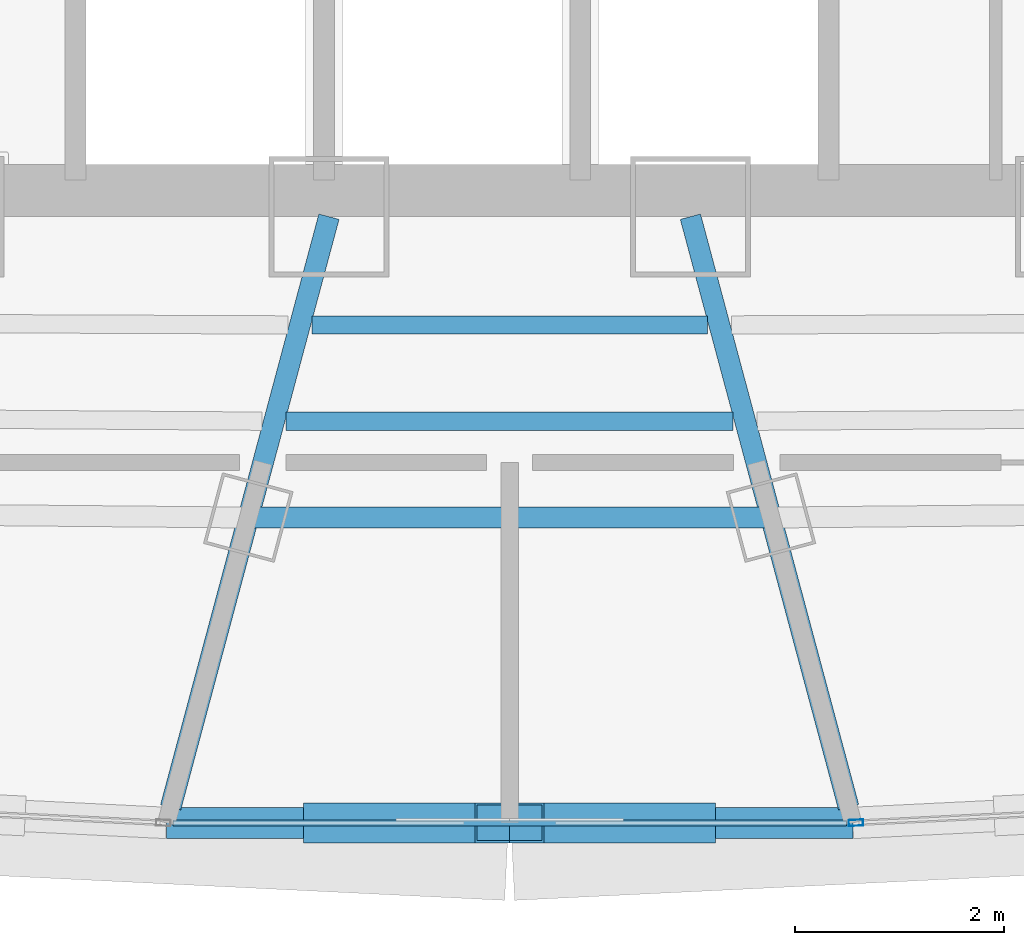
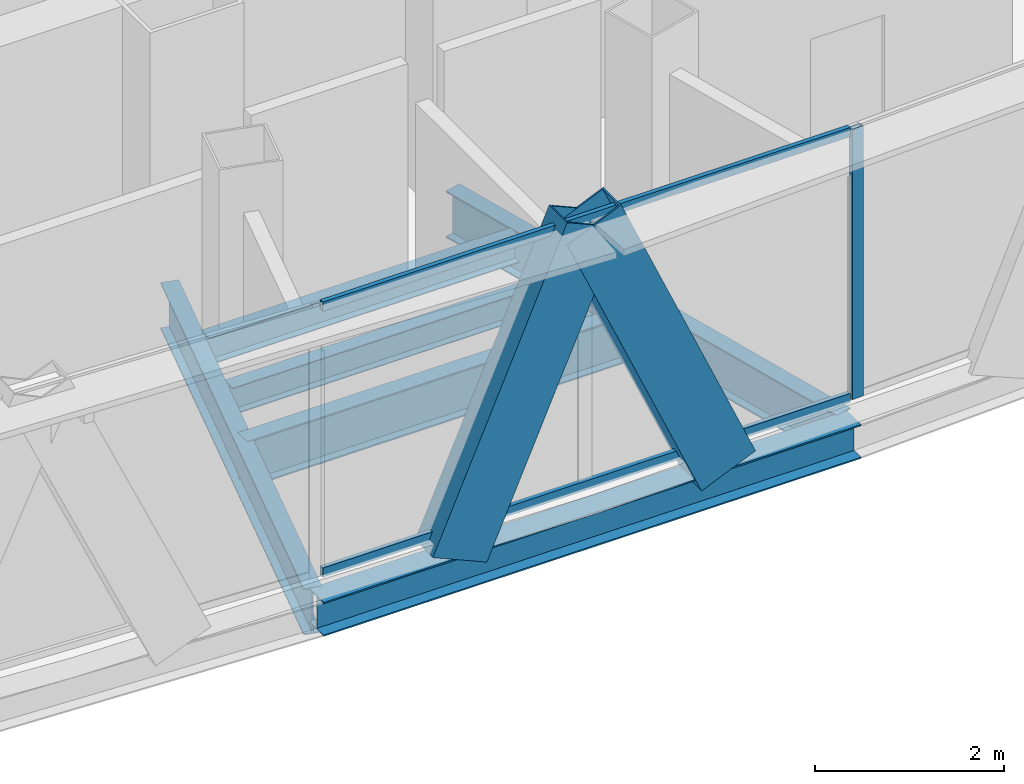
# One storey, part 5 of 26: 6 beams, 5 members, 2 elements without a shape of their own.
"""IFC4 building model written with IfcOpenShell, lengths in metres."""

from ifc_helpers import new_model, si_unit, direction, frame, origin, origin_2d, place, context, subcontext, project, spatial, hollow_rectangle, i_section, extrude, source, transform, mapped, material, layer, layer_set, material_profile, profile_set, type_object, element, aggregate, save


model = new_model("IFC4")

# Units and contexts
model_context = context("Model", 3, precision=1e-05, world=origin(), true_north=direction((0.0, 1.0)))
body_context = subcontext(model_context, "Body", "Model", "MODEL_VIEW")
ifc_project = project(units=[si_unit("LENGTHUNIT", "METRE"), si_unit("AREAUNIT", "SQUARE_METRE"), si_unit("VOLUMEUNIT", "CUBIC_METRE"), si_unit("PLANEANGLEUNIT", "RADIAN"), si_unit("MASSUNIT", "GRAM", prefix="KILO"), si_unit("THERMODYNAMICTEMPERATUREUNIT", "KELVIN"), si_unit("POWERUNIT", "WATT")], contexts=[model_context])

# Site, building, storey
site_placement = place(None, origin())
site = spatial("IfcSite", under=ifc_project, at=site_placement, CompositionType="ELEMENT")
building_placement = place(site_placement, origin())
building = spatial("IfcBuilding", under=site, at=building_placement, Name="Yunzhuo Pagoda Commons", CompositionType="ELEMENT")
storey_placement = place(building_placement, frame((0.0, 0.0, 340.510009765625)))
storey = spatial("IfcBuildingStorey", under=building, at=storey_placement, Name="L85", CompositionType="ELEMENT", Elevation=340.510009765625)

# Beams
ifc_material_1 = material(Name="Structural steel Q355B", Category="steel")
ifc_material_profile_1 = material_profile(ifc_material_1, i_section(OverallWidth=0.199951171875, OverallDepth=0.60009765625, WebThickness=0.010986328125, FlangeThickness=0.01708984375, at=origin_2d()), Name="Structural steel Q355B")
ifc_profile_set_1 = profile_set([ifc_material_profile_1], Name="Structural steel Q355B")
beam_type_1 = type_object("IfcBeamType", Name="B-RG3 Beam HN 600x200x11x17", PredefinedType="BEAM", material=ifc_profile_set_1)
shared_shape_1 = source(origin(), body_context, "Body", "SweptSolid", [
    extrude(i_section(OverallWidth=0.199951171875, OverallDepth=0.60009765625, WebThickness=0.010986328125, FlangeThickness=0.01708984375, at=origin_2d()), origin(), (0.0, 0.0, 1.0), 4.99853515625),
])
beam_1_placement = place(storey_placement, frame((45.500732421875, 24.372802734375, -0.56005859375), z_axis=(1.0, 0.0, 0.0), x_axis=(0.0, 1.0, 0.0)))
element("IfcBeam", 1, at=beam_1_placement, inside=storey, type_object=beam_type_1, Name="L85 column-ring beam 2", PredefinedType="BEAM", context=body_context, shape_type="MappedRepresentation", body=[
    mapped(shared_shape_1, transform((0.0, 0.0, 0.0), scale=1.0)),
])
ifc_material_profile_2 = material_profile(ifc_material_1, i_section(OverallWidth=0.175048828125, OverallDepth=0.35009765625, WebThickness=0.007080078125, FlangeThickness=0.010986328125, at=origin_2d()), Name="Structural steel Q355B")
ifc_profile_set_2 = profile_set([ifc_material_profile_2], Name="Structural steel Q355B")
beam_type_2 = type_object("IfcBeamType", Name="B-JS2 Joist HN 350x175x7x11", PredefinedType="JOIST", material=ifc_profile_set_2)
shared_shape_2 = source(origin(), body_context, "Body", "SweptSolid", [
    extrude(i_section(OverallWidth=0.175048828125, OverallDepth=0.35009765625, WebThickness=0.007080078125, FlangeThickness=0.010986328125, at=origin_2d()), origin(), (0.0, 0.0, 1.0), 3.78173828125),
])
beam_2_placement = place(storey_placement, frame((46.109130859375, 26.214111328125, -0.43505859375), z_axis=(1.0, 0.0, 0.0), x_axis=(0.0, 1.0, 0.0)))
element("IfcBeam", 2, at=beam_2_placement, inside=storey, type_object=beam_type_2, Name="L85 composite ring joist 1.2", PredefinedType="JOIST", context=body_context, shape_type="MappedRepresentation", body=[
    mapped(shared_shape_2, transform((0.0, 0.0, 0.0), scale=1.0)),
])
shared_shape_3 = source(origin(), body_context, "Body", "SweptSolid", [
    extrude(i_section(OverallWidth=0.175048828125, OverallDepth=0.35009765625, WebThickness=0.007080078125, FlangeThickness=0.010986328125, at=origin_2d()), origin(), (0.0, 0.0, 1.0), 4.27490234375),
])
beam_3_placement = place(storey_placement, frame((45.862548828125, 25.29345703125, -0.43505859375), z_axis=(1.0, 0.0, 0.0), x_axis=(0.0, 1.0, 0.0)))
element("IfcBeam", 3, at=beam_3_placement, inside=storey, type_object=beam_type_2, Name="L85 composite ring joist 2.2", PredefinedType="JOIST", context=body_context, shape_type="MappedRepresentation", body=[
    mapped(shared_shape_3, transform((0.0, 0.0, 0.0), scale=1.0)),
])
shared_shape_4 = source(origin(), body_context, "Body", "SweptSolid", [
    extrude(i_section(OverallWidth=0.199951171875, OverallDepth=0.60009765625, WebThickness=0.010986328125, FlangeThickness=0.01708984375, at=origin_2d()), origin(), (0.0, 0.0, 1.0), 5.84716796875),
])
for number, where, z_axis, x_axis, name in (
    (4, (44.75830078125, 21.60205078125, -0.56005859375), (0.258868261123, 0.965912637552, 0.0), (-0.965912637552, 0.258868261123, 0.0), "L85 radial floor girder F1C2"),
    (5, (51.24169921875, 21.60205078125, -0.56005859375), (-0.258790348668, 0.965933515019, 0.0), (-0.965933515019, -0.258790348668, 0.0), "L85 radial floor girder F1C3"),
):
    element("IfcBeam", number, at=place(storey_placement, frame(where, z_axis=z_axis, x_axis=x_axis)), inside=storey, type_object=beam_type_1, Name=name, PredefinedType="BEAM", context=body_context, shape_type="MappedRepresentation", body=[
        mapped(shared_shape_4, transform((0.0, 0.0, 0.0), scale=1.0)),
    ])
ifc_material_profile_3 = material_profile(ifc_material_1, i_section(OverallWidth=0.300048828125, OverallDepth=0.43994140625, WebThickness=0.010986328125, FlangeThickness=0.01806640625, at=origin_2d()), Name="Structural steel Q355B")
ifc_profile_set_3 = profile_set([ifc_material_profile_3], Name="Structural steel Q355B")
beam_type_3 = type_object("IfcBeamType", Name="B-SP2 Beam HM 440x300x11x18", PredefinedType="BEAM", material=ifc_profile_set_3)
shared_shape_5 = source(origin(), body_context, "Body", "SweptSolid", [
    extrude(i_section(OverallWidth=0.300048828125, OverallDepth=0.43994140625, WebThickness=0.010986328125, FlangeThickness=0.01806640625, at=origin_2d()), origin(), (0.0, 0.0, 1.0), 6.5634765625),
])
beam_4_placement = place(storey_placement, frame((44.71826171875, 21.452392578125, -0.47998046875), z_axis=(1.0, 0.0, 0.0), x_axis=(0.0, 1.0, 0.0)))
element("IfcBeam", 6, at=beam_4_placement, inside=storey, type_object=beam_type_3, Name="L85 facade edge spandrel beam F1.2", PredefinedType="BEAM", context=body_context, shape_type="MappedRepresentation", body=[
    mapped(shared_shape_5, transform((0.0, 0.0, 0.0), scale=1.0)),
])

# Members
ifc_material_profile_4 = material_profile(ifc_material_1, hollow_rectangle(XDim=0.3798828125, YDim=0.719970703125, WallThickness=0.02001953125, at=origin_2d()), Name="Structural steel Q355B")
ifc_profile_set_4 = profile_set([ifc_material_profile_4], Name="Structural steel Q355B")
member_type_1 = type_object("IfcMemberType", Name="M-DL3 Brace BOX 720x380x20", PredefinedType="BRACE", material=ifc_profile_set_4)
shared_shape_6 = source(origin(), body_context, "Body", "SweptSolid", [
    extrude(hollow_rectangle(XDim=0.3798828125, YDim=0.719970703125, WallThickness=0.02001953125, at=origin_2d()), origin(), (0.0, 0.0, 1.0), 4.09326171875),
])
for number, where, z_axis, x_axis, name in (
    (7, (46.359130859375, 21.452392578125, -0.260009765625), (0.400868895467, 0.0, 0.91613543139), (0.0, 1.0, 0.0), "L85 facade diamond brace F1.2L"),
    (8, (49.640869140625, 21.452392578125, -0.260009765625), (-0.400868895467, 0.0, 0.91613543139), (0.0, -1.0, 0.0), "L85 facade diamond brace F1.2R"),
):
    element("IfcMember", number, at=place(storey_placement, frame(where, z_axis=z_axis, x_axis=x_axis)), inside=storey, type_object=member_type_1, Name=name, PredefinedType="BRACE", context=body_context, shape_type="MappedRepresentation", body=[
        mapped(shared_shape_6, transform((0.0, 0.0, 0.0), scale=1.0)),
    ])

# Curtain wall, member
ifc_material_2 = material(Name="Anodized aluminium 6063-T6", Category="aluminium")
ifc_layer = layer(ifc_material_2, 0.139892578125)
ifc_layer_set = layer_set([ifc_layer], Name="Anodized aluminium 6063-T6")
curtain_wall_type = type_object("IfcCurtainWallType", Name="CW-HI High-Zone Ribbon Curtain Wall", PredefinedType="NOTDEFINED", material=ifc_layer_set)
curtain_wall_1_placement = place(storey_placement, origin())
curtain_wall_1 = element("IfcCurtainWall", 9, at=curtain_wall_1_placement, inside=storey, type_object=curtain_wall_type, Name="L85 curtain wall CW-L85-F1B4", PredefinedType="NOTDEFINED")
ifc_material_profile_5 = material_profile(ifc_material_2, hollow_rectangle(XDim=0.06005859375, YDim=0.139892578125, WallThickness=0.00341796875, at=origin_2d()), Name="Anodized aluminium 6063-T6")
ifc_profile_set_5 = profile_set([ifc_material_profile_5], Name="Anodized aluminium 6063-T6")
member_type_2 = type_object("IfcMemberType", Name="CW-HI-M Mullion RHS 140x60x3.5", PredefinedType="MULLION", material=ifc_profile_set_5)
shared_shape_7 = source(origin(), body_context, "Body", "SweptSolid", [
    extrude(hollow_rectangle(XDim=0.06005859375, YDim=0.139892578125, WallThickness=0.00341796875, at=origin_2d()), origin(), (0.0, 0.0, 1.0), 3.489990234375),
])
member_1_placement = place(storey_placement, frame((51.311767578125, 21.453857421875, 0.0), z_axis=(0.0, 0.0, 1.0), x_axis=(-0.048905572213, 0.998803406585, 0.0)))
member_1 = element("IfcMember", 10, at=member_1_placement, type_object=member_type_2, Name="CW mullion 1", PredefinedType="MULLION", context=body_context, shape_type="MappedRepresentation", body=[
    mapped(shared_shape_7, transform((0.0, 0.0, 0.0), scale=1.0)),
])
aggregate(curtain_wall_1, [member_1])

# Curtain wall, members
curtain_wall_2_placement = place(storey_placement, origin())
curtain_wall_2 = element("IfcCurtainWall", 11, at=curtain_wall_2_placement, inside=storey, type_object=curtain_wall_type, Name="L85 curtain wall CW-L85-F1B3", PredefinedType="NOTDEFINED")
ifc_material_profile_6 = material_profile(ifc_material_2, hollow_rectangle(XDim=0.054931640625, YDim=0.1201171875, WallThickness=0.00341796875, at=origin_2d()), Name="Anodized aluminium 6063-T6")
ifc_profile_set_6 = profile_set([ifc_material_profile_6], Name="Anodized aluminium 6063-T6")
member_type_3 = type_object("IfcMemberType", Name="CW-HI-T Transom RHS 120x55x3.5", PredefinedType="USERDEFINED", material=ifc_profile_set_6)
shared_shape_8 = source(origin(), body_context, "Body", "SweptSolid", [
    extrude(hollow_rectangle(XDim=0.054931640625, YDim=0.1201171875, WallThickness=0.00341796875, at=origin_2d()), origin(), (0.0, 0.0, 1.0), 6.443359375),
])
member_2_placement = place(storey_placement, frame((44.7783203125, 21.452392578125, 0.027587890625), z_axis=(1.0, 0.0, 0.0), x_axis=(0.0, 1.0, 0.0)))
member_2 = element("IfcMember", 12, at=member_2_placement, type_object=member_type_3, Name="CW transom 1.1", ObjectType="TRANSOM", PredefinedType="USERDEFINED", context=body_context, shape_type="MappedRepresentation", body=[
    mapped(shared_shape_8, transform((0.0, 0.0, 0.0), scale=1.0)),
])
member_3_placement = place(storey_placement, frame((44.7783203125, 21.452392578125, 3.46240234375), z_axis=(1.0, 0.0, 0.0), x_axis=(0.0, 1.0, 0.0)))
member_3 = element("IfcMember", 13, at=member_3_placement, type_object=member_type_3, Name="CW transom 1.2", ObjectType="TRANSOM", PredefinedType="USERDEFINED", context=body_context, shape_type="MappedRepresentation", body=[
    mapped(shared_shape_8, transform((0.0, 0.0, 0.0), scale=1.0)),
])
aggregate(curtain_wall_2, [member_2, member_3])

save(model, "model.ifc")
